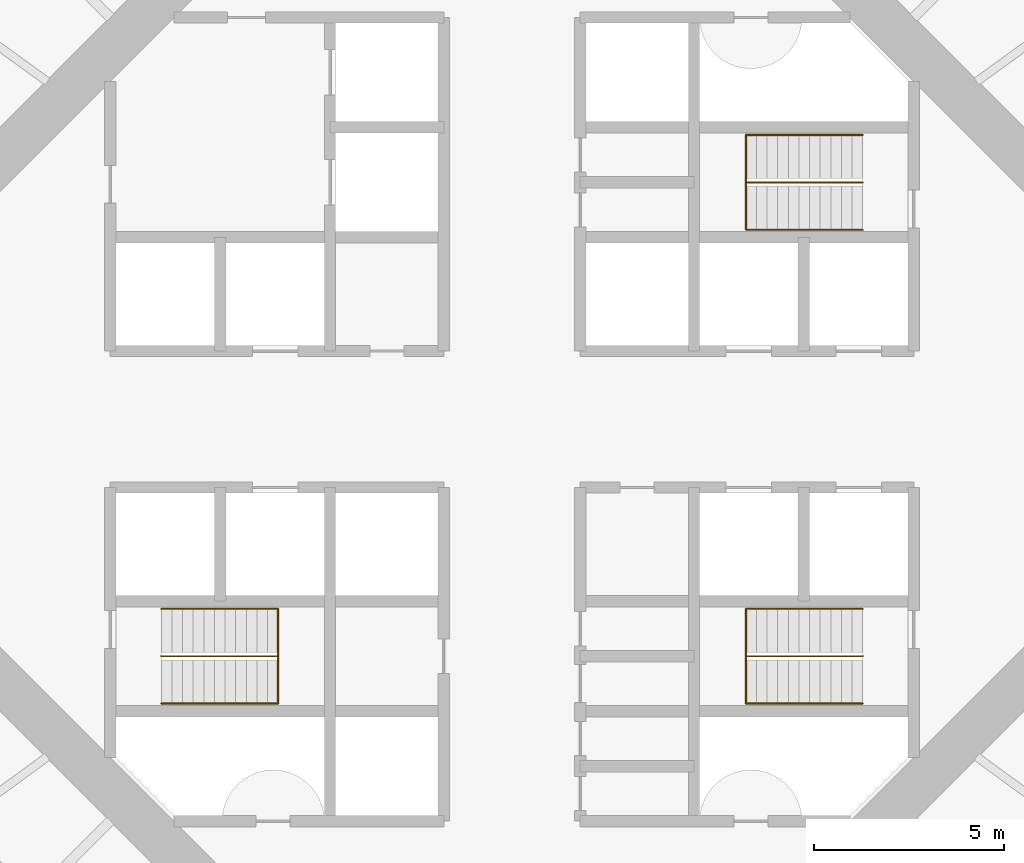
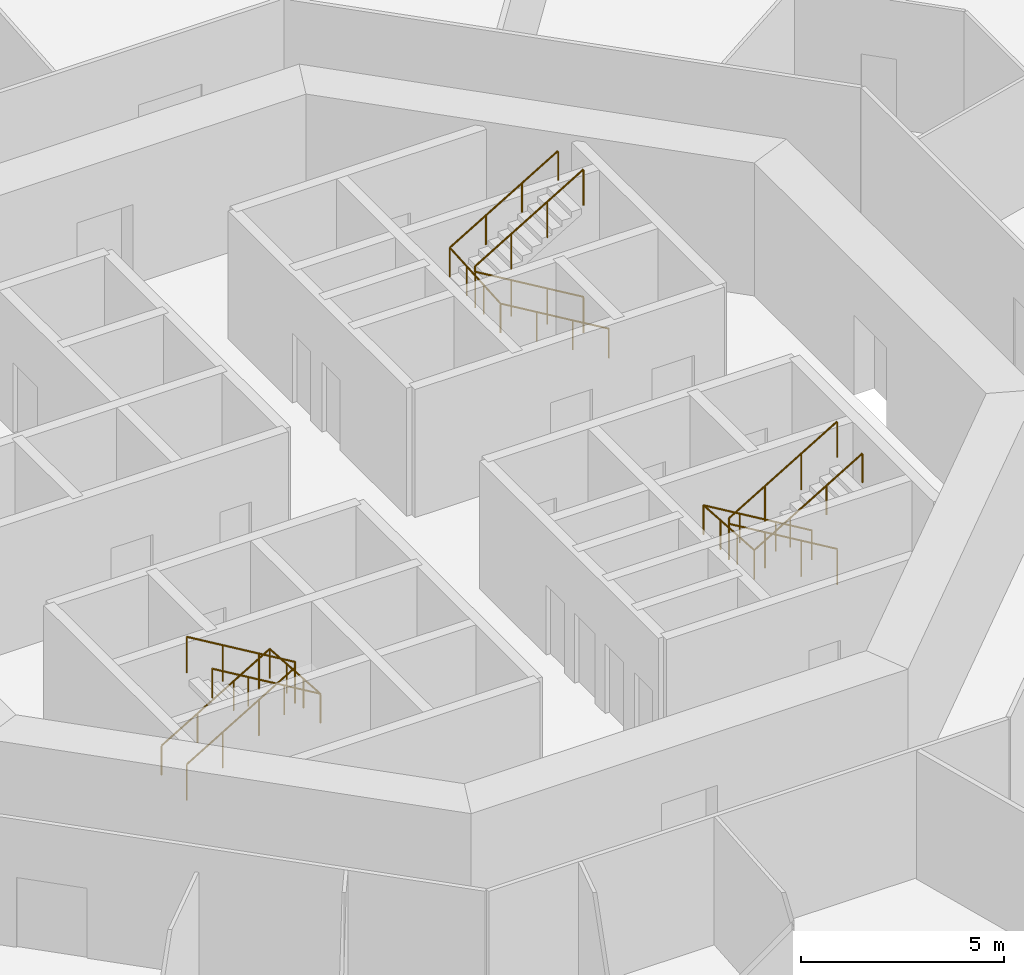
# One storey, part 13 of 13: 6 railings.
"""IFC4 building model written with IfcOpenShell, lengths in metres."""

import ifcopenshell
import ifcopenshell.guid

model = None  # the IFC model being written
_history = None  # IfcOwnerHistory: only IFC2X3 demands one
_inside = {}  # id of a spatial element -> (the spatial element, [elements in it])
_under = {}  # id of a project, library or spatial element -> (it, [spatial elements below it])
_declared = {}  # id of a project -> (the project, [libraries it declares])
_typed = {}  # id of a type object -> (the type object, [elements of that type])
_made_of = {}  # id of a material, layer set ... -> (it, [elements and type objects made of it])


def new_model(schema):
    """Start an empty IFC model of exactly this schema.

    Asked for "IFC4X3", IfcOpenShell would pick the latest addendum, in which some entities
    have other attributes; the version numbers below select the first issue.
    IFC2X3 requires an IfcOwnerHistory on every rooted entity: one is made here for all.
    """
    global model, _history
    if schema == "IFC4X3":
        model = ifcopenshell.file(schema_version=(4, 3, 0, 0))
    else:
        model = ifcopenshell.file(schema=schema)
    _inside.clear()
    _under.clear()
    _declared.clear()
    _typed.clear()
    _made_of.clear()
    _history = None
    if model.schema == "IFC2X3":
        org = make("IfcOrganization", Name="unknown")
        user = make(
            "IfcPersonAndOrganization",
            ThePerson=make("IfcPerson", FamilyName="unknown"),
            TheOrganization=org,
        )
        app = make(
            "IfcApplication",
            ApplicationDeveloper=org,
            Version="unknown",
            ApplicationFullName="unknown",
            ApplicationIdentifier="unknown",
        )
        _history = make(
            "IfcOwnerHistory",
            OwningUser=user,
            OwningApplication=app,
            ChangeAction="ADDED",
            CreationDate=0,
        )
    return model


def make(cls, **values):
    """One entity of the class cls with the attributes given. An attribute that is None is left unset."""
    return model.create_entity(
        cls, **{name: value for name, value in values.items() if value is not None}
    )


def rooted(cls, **values):
    """An entity with a GlobalId (a new one), such as an element, a storey or a relation."""
    return make(cls, GlobalId=ifcopenshell.guid.new(), OwnerHistory=_history, **values)


def si_unit(unit_type, name, prefix=None):
    """IfcSIUnit, for example si_unit("LENGTHUNIT", "METRE", prefix="MILLI")."""
    return make("IfcSIUnit", UnitType=unit_type, Prefix=prefix, Name=name)


def assignment(units):
    """IfcUnitAssignment: the units of a project."""
    return None if units is None else make("IfcUnitAssignment", Units=units)


def point(xyz):
    """IfcCartesianPoint."""
    return None if xyz is None else make("IfcCartesianPoint", Coordinates=xyz)


def direction(xyz):
    """IfcDirection."""
    return None if xyz is None else make("IfcDirection", DirectionRatios=xyz)


def frame(location, z_axis=None, x_axis=None):
    """IfcAxis2Placement3D, a coordinate frame: its origin and axes. An axis left out is left unset."""
    return make(
        "IfcAxis2Placement3D",
        Location=point(location),
        Axis=direction(z_axis),
        RefDirection=direction(x_axis),
    )


def frame_2d(location, x_axis=None):
    """IfcAxis2Placement2D, a coordinate frame in the plane: its origin and x axis."""
    return make(
        "IfcAxis2Placement2D", Location=point(location), RefDirection=direction(x_axis)
    )


def origin():
    """The frame at (0, 0, 0) with its axes left unset."""
    return frame((0.0, 0.0, 0.0))


def origin_2d():
    """The frame at (0, 0) in the plane with its x axis left unset."""
    return frame_2d((0.0, 0.0))


def place(relative_to, where):
    """IfcLocalPlacement: puts the frame where relative to a parent placement (None: the world)."""
    return make(
        "IfcLocalPlacement", PlacementRelTo=relative_to, RelativePlacement=where
    )


def context(
    kind, dimensions, precision=None, world=None, true_north=None, identifier=None
):
    """IfcGeometricRepresentationContext, for example the 3D "Model" context."""
    return make(
        "IfcGeometricRepresentationContext",
        ContextIdentifier=identifier,
        ContextType=kind,
        CoordinateSpaceDimension=dimensions,
        Precision=precision,
        WorldCoordinateSystem=world,
        TrueNorth=true_north,
    )


def subcontext(parent, identifier, kind, view, scale=None):
    """IfcGeometricRepresentationSubContext, for example "Body" below "Model"."""
    return make(
        "IfcGeometricRepresentationSubContext",
        ContextIdentifier=identifier,
        ContextType=kind,
        ParentContext=parent,
        TargetScale=scale,
        TargetView=view,
    )


def project(units=None, contexts=None):
    """IfcProject with its units and contexts."""
    return rooted(
        "IfcProject",
        Name="project",
        RepresentationContexts=contexts,
        UnitsInContext=assignment(units),
    )


def spatial(cls, under=None, at=None, **own):
    """A site, building, storey or space (cls), placed at a placement, below another one or the project."""
    s = rooted(cls, ObjectPlacement=at, **own)
    if under is not None:
        _under.setdefault(under.id(), (under, []))[1].append(s)
    return s


def profile(cls, at=None, kind="AREA", **sizes):
    """A parametric profile (cls). Its sizes go by their IFC names, for example OverallWidth=200.0."""
    return make(cls, ProfileType=kind, Position=at, **sizes)


def circle(**sizes):
    """IfcCircleProfileDef."""
    return profile("IfcCircleProfileDef", **sizes)


def extrude(swept, where, along, depth):
    """IfcExtrudedAreaSolid: the profile swept, set in the frame where, extruded along a direction by depth."""
    return make(
        "IfcExtrudedAreaSolid",
        SweptArea=swept,
        Position=where,
        ExtrudedDirection=direction(along),
        Depth=depth,
    )


def shape(context_of_items, identifier, shape_type, items):
    """IfcShapeRepresentation: the items that make up one representation, for example the "Body"."""
    return make(
        "IfcShapeRepresentation",
        ContextOfItems=context_of_items,
        RepresentationIdentifier=identifier,
        RepresentationType=shape_type,
        Items=items,
    )


def material(Name=None, Category=None):
    """IfcMaterial."""
    return make("IfcMaterial", Name=Name, Category=Category)


def made_of(thing, what):
    """Note that an element or type object is made of a material, layer set ...; save() writes the relation."""
    if what is not None:
        _made_of.setdefault(what.id(), (what, []))[1].append(thing)
    return thing


def type_object(cls, material=None, **own):
    """A type object (cls), such as IfcWallType, which elements share."""
    return made_of(rooted(cls, **own), material)


def element(
    cls,
    number,
    at=None,
    inside=None,
    cuts=None,
    type_object=None,
    material=None,
    context=None,
    identifier="Body",
    shape_type=None,
    held_by="IfcProductDefinitionShape",
    body=None,
    shapes=None,
    **own,
):
    """One element of the class cls, such as IfcWall. Its Tag is "e" and its number.

    at: its placement. inside: the storey or other place that contains it. cuts: it is an
    opening in that element (IfcRelVoidsElement). A single representation is given by context,
    identifier, shape_type and body (its items); several are given by shapes. held_by: the class
    of the entity that holds the representations. save() writes the other relations.
    """
    e = rooted(cls, Tag="e%d" % number, ObjectPlacement=at, **own)
    if body is not None:
        shapes = [shape(context, identifier, shape_type, body)]
    if shapes is not None:
        e.Representation = make(held_by, Representations=shapes)
    if inside is not None:
        _inside.setdefault(inside.id(), (inside, []))[1].append(e)
    if cuts is not None:
        rooted(
            "IfcRelVoidsElement", RelatingBuildingElement=cuts, RelatedOpeningElement=e
        )
    if type_object is not None:
        _typed.setdefault(type_object.id(), (type_object, []))[1].append(e)
    return made_of(e, material)


def aggregate(whole, parts):
    """IfcRelAggregates: a whole, such as a stair, and the parts it consists of."""
    return rooted("IfcRelAggregates", RelatingObject=whole, RelatedObjects=parts)


def save(model, path):
    """Write the relations noted so far, then the file.

    IfcRelAggregates (storeys below a building ...), IfcRelContainedInSpatialStructure (elements
    in a storey), IfcRelDefinesByType, IfcRelAssociatesMaterial and IfcRelDeclares: one each for
    every whole, place, type object, material and project.
    """
    for whole, parts in _under.values():
        aggregate(whole, parts)
    for where, things in _inside.values():
        rooted(
            "IfcRelContainedInSpatialStructure",
            RelatedElements=things,
            RelatingStructure=where,
        )
    for kind, things in _typed.values():
        rooted("IfcRelDefinesByType", RelatedObjects=things, RelatingType=kind)
    for what, things in _made_of.values():
        rooted("IfcRelAssociatesMaterial", RelatedObjects=things, RelatingMaterial=what)
    for by, libraries in _declared.values():
        rooted("IfcRelDeclares", RelatingContext=by, RelatedDefinitions=libraries)
    model.write(path)


model = new_model("IFC4")

# Units and contexts
model_context = context("Model", 3, precision=1e-05, world=origin(), true_north=direction((0.0, 1.0)))
body_context = subcontext(model_context, "Body", "Model", "MODEL_VIEW")
ifc_project = project(units=[si_unit("LENGTHUNIT", "METRE"), si_unit("AREAUNIT", "SQUARE_METRE"), si_unit("VOLUMEUNIT", "CUBIC_METRE"), si_unit("PLANEANGLEUNIT", "RADIAN"), si_unit("MASSUNIT", "GRAM", prefix="KILO")], contexts=[model_context])

# Site, building, storey
site_placement = place(None, origin())
site = spatial("IfcSite", under=ifc_project, at=site_placement, CompositionType="ELEMENT")
building_placement = place(site_placement, origin())
building = spatial("IfcBuilding", under=site, at=building_placement, Name="Entoto Ring Tower", CompositionType="ELEMENT")
storey_placement = place(building_placement, frame((0.0, 0.0, 124.0)))
storey = spatial("IfcBuildingStorey", under=building, at=storey_placement, Name="L28", CompositionType="ELEMENT", Elevation=124.0)

# Railings
ifc_material_1 = material(Name="Steel S275", Category="steel")
railing_type_1 = type_object("IfcRailingType", Name="Stair guard 1100 mm steel", PredefinedType="GUARDRAIL", material=ifc_material_1)
railing_1_placement = place(storey_placement, frame((99.25, 86.25, 0.166748046875)))
element("IfcRailing", 1, at=railing_1_placement, inside=storey, type_object=railing_type_1, Name="Guard ST1", PredefinedType="GUARDRAIL", context=body_context, shape_type="SweptSolid", body=[
    extrude(circle(Radius=0.02392578125, at=origin_2d()), frame((0.0, 0.0, 1.076171875), z_axis=(-0.859308565015, 0.0, 0.511457515432), x_axis=(0.0, -1.0, 0.0)), (0.0, 0.0, 1.0), 3.58447265625),
    extrude(circle(Radius=0.02392578125, at=origin_2d()), frame((-3.080078125, 0.0, 2.9091796875), z_axis=(0.0, 0.0, 1.0), x_axis=(1.0, 0.0, 0.0)), (0.0, 0.0, 1.0), 0.166748046875),
    extrude(circle(Radius=0.02392578125, at=origin_2d()), frame((-3.080078125, 0.0, 3.076171875), z_axis=(0.859308565015, 0.0, 0.511457515432), x_axis=(0.0, 1.0, 0.0)), (0.0, 0.0, 1.0), 3.58447265625),
    extrude(circle(Radius=0.02099609375, at=origin_2d()), origin(), (0.0, 0.0, 1.0), 1.052001953125),
    extrude(circle(Radius=0.02099609375, at=origin_2d()), frame((-1.026611328125, 0.0, 0.611083984375)), (0.0, 0.0, 1.0), 1.052001953125),
    extrude(circle(Radius=0.02099609375, at=origin_2d()), frame((-2.053466796875, 0.0, 1.22216796875)), (0.0, 0.0, 1.0), 1.052001953125),
    extrude(circle(Radius=0.02099609375, at=origin_2d()), frame((-3.080078125, 0.0, 1.833251953125)), (0.0, 0.0, 1.0), 1.052001953125),
    extrude(circle(Radius=0.02099609375, at=origin_2d()), frame((-3.080078125, 0.0, 2.0)), (0.0, 0.0, 1.0), 1.052001953125),
    extrude(circle(Radius=0.02099609375, at=origin_2d()), frame((-2.053466796875, 0.0, 2.611083984375)), (0.0, 0.0, 1.0), 1.052001953125),
    extrude(circle(Radius=0.02099609375, at=origin_2d()), frame((-1.026611328125, 0.0, 3.22216796875)), (0.0, 0.0, 1.0), 1.052001953125),
    extrude(circle(Radius=0.02099609375, at=origin_2d()), frame((0.0, 0.0, 3.833251953125)), (0.0, 0.0, 1.0), 1.052001953125),
])
railing_2_placement = place(storey_placement, frame((80.75, 73.75, 0.166748046875)))
element("IfcRailing", 2, at=railing_2_placement, inside=storey, type_object=railing_type_1, Name="Guard ST2", PredefinedType="GUARDRAIL", context=body_context, shape_type="SweptSolid", body=[
    extrude(circle(Radius=0.02392578125, at=origin_2d()), frame((0.0, 0.0, 1.076171875), z_axis=(0.859308565015, 0.0, 0.511457515432), x_axis=(0.0, 1.0, 0.0)), (0.0, 0.0, 1.0), 3.58447265625),
    extrude(circle(Radius=0.02392578125, at=origin_2d()), frame((3.080078125, 0.0, 2.9091796875), z_axis=(0.0, 0.0, 1.0), x_axis=(1.0, 0.0, 0.0)), (0.0, 0.0, 1.0), 0.166748046875),
    extrude(circle(Radius=0.02392578125, at=origin_2d()), frame((3.080078125, 0.0, 3.076171875), z_axis=(-0.859308565015, 0.0, 0.511457515432), x_axis=(0.0, -1.0, 0.0)), (0.0, 0.0, 1.0), 3.58447265625),
    extrude(circle(Radius=0.02099609375, at=origin_2d()), origin(), (0.0, 0.0, 1.0), 1.052001953125),
    extrude(circle(Radius=0.02099609375, at=origin_2d()), frame((1.026611328125, 0.0, 0.611083984375)), (0.0, 0.0, 1.0), 1.052001953125),
    extrude(circle(Radius=0.02099609375, at=origin_2d()), frame((2.053466796875, 0.0, 1.22216796875)), (0.0, 0.0, 1.0), 1.052001953125),
    extrude(circle(Radius=0.02099609375, at=origin_2d()), frame((3.080078125, 0.0, 1.833251953125)), (0.0, 0.0, 1.0), 1.052001953125),
    extrude(circle(Radius=0.02099609375, at=origin_2d()), frame((3.080078125, 0.0, 2.0)), (0.0, 0.0, 1.0), 1.052001953125),
    extrude(circle(Radius=0.02099609375, at=origin_2d()), frame((2.053466796875, 0.0, 2.611083984375)), (0.0, 0.0, 1.0), 1.052001953125),
    extrude(circle(Radius=0.02099609375, at=origin_2d()), frame((1.026611328125, 0.0, 3.22216796875)), (0.0, 0.0, 1.0), 1.052001953125),
    extrude(circle(Radius=0.02099609375, at=origin_2d()), frame((0.0, 0.0, 3.833251953125)), (0.0, 0.0, 1.0), 1.052001953125),
])
railing_3_placement = place(storey_placement, frame((99.25, 73.75, 0.166748046875)))
element("IfcRailing", 3, at=railing_3_placement, inside=storey, type_object=railing_type_1, Name="Guard ST3", PredefinedType="GUARDRAIL", context=body_context, shape_type="SweptSolid", body=[
    extrude(circle(Radius=0.02392578125, at=origin_2d()), frame((0.0, 0.0, 1.076171875), z_axis=(-0.859308565015, 0.0, 0.511457515432), x_axis=(0.0, -1.0, 0.0)), (0.0, 0.0, 1.0), 3.58447265625),
    extrude(circle(Radius=0.02392578125, at=origin_2d()), frame((-3.080078125, 0.0, 2.9091796875), z_axis=(0.0, 0.0, 1.0), x_axis=(1.0, 0.0, 0.0)), (0.0, 0.0, 1.0), 0.166748046875),
    extrude(circle(Radius=0.02392578125, at=origin_2d()), frame((-3.080078125, 0.0, 3.076171875), z_axis=(0.859308565015, 0.0, 0.511457515432), x_axis=(0.0, 1.0, 0.0)), (0.0, 0.0, 1.0), 3.58447265625),
    extrude(circle(Radius=0.02099609375, at=origin_2d()), origin(), (0.0, 0.0, 1.0), 1.052001953125),
    extrude(circle(Radius=0.02099609375, at=origin_2d()), frame((-1.026611328125, 0.0, 0.611083984375)), (0.0, 0.0, 1.0), 1.052001953125),
    extrude(circle(Radius=0.02099609375, at=origin_2d()), frame((-2.053466796875, 0.0, 1.22216796875)), (0.0, 0.0, 1.0), 1.052001953125),
    extrude(circle(Radius=0.02099609375, at=origin_2d()), frame((-3.080078125, 0.0, 1.833251953125)), (0.0, 0.0, 1.0), 1.052001953125),
    extrude(circle(Radius=0.02099609375, at=origin_2d()), frame((-3.080078125, 0.0, 2.0)), (0.0, 0.0, 1.0), 1.052001953125),
    extrude(circle(Radius=0.02099609375, at=origin_2d()), frame((-2.053466796875, 0.0, 2.611083984375)), (0.0, 0.0, 1.0), 1.052001953125),
    extrude(circle(Radius=0.02099609375, at=origin_2d()), frame((-1.026611328125, 0.0, 3.22216796875)), (0.0, 0.0, 1.0), 1.052001953125),
    extrude(circle(Radius=0.02099609375, at=origin_2d()), frame((0.0, 0.0, 3.833251953125)), (0.0, 0.0, 1.0), 1.052001953125),
])
ifc_material_2 = material(Name="Steel S275", Category="steel")
railing_type_2 = type_object("IfcRailingType", Name="Stair handrail 900 mm steel", PredefinedType="HANDRAIL", material=ifc_material_2)
railing_4_placement = place(storey_placement, frame((99.25, 85.0, 0.166748046875)))
element("IfcRailing", 4, at=railing_4_placement, inside=storey, type_object=railing_type_2, Name="Handrail ST1", PredefinedType="HANDRAIL", context=body_context, shape_type="SweptSolid", body=[
    extrude(circle(Radius=0.02392578125, at=origin_2d()), frame((0.0, 0.0, 0.8759765625), z_axis=(-0.859308565015, 0.0, 0.511457515432), x_axis=(0.0, -1.0, 0.0)), (0.0, 0.0, 1.0), 3.58447265625),
    extrude(circle(Radius=0.02392578125, at=origin_2d()), frame((-3.080078125, 0.0, 2.708984375), z_axis=(0.0, 0.997783001586, 0.066551346688), x_axis=(-1.0, 0.0, 0.0)), (0.0, 0.0, 1.0), 2.505615234375),
    extrude(circle(Radius=0.02392578125, at=origin_2d()), frame((-3.080078125, 2.5, 2.8759765625), z_axis=(0.859308565015, 0.0, 0.511457515432), x_axis=(0.0, 1.0, 0.0)), (0.0, 0.0, 1.0), 3.58447265625),
    extrude(circle(Radius=0.02099609375, at=origin_2d()), origin(), (0.0, 0.0, 1.0), 0.851806640625),
    extrude(circle(Radius=0.02099609375, at=origin_2d()), frame((-1.026611328125, 0.0, 0.611083984375)), (0.0, 0.0, 1.0), 0.851806640625),
    extrude(circle(Radius=0.02099609375, at=origin_2d()), frame((-2.053466796875, 0.0, 1.22216796875)), (0.0, 0.0, 1.0), 0.851806640625),
    extrude(circle(Radius=0.02099609375, at=origin_2d()), frame((-3.080078125, 0.0, 1.833251953125)), (0.0, 0.0, 1.0), 0.851806640625),
    extrude(circle(Radius=0.02099609375, at=origin_2d()), frame((-3.080078125, 0.833251953125, 1.888916015625)), (0.0, 0.0, 1.0), 0.851806640625),
    extrude(circle(Radius=0.02099609375, at=origin_2d()), frame((-3.080078125, 1.666748046875, 1.9443359375)), (0.0, 0.0, 1.0), 0.851806640625),
    extrude(circle(Radius=0.02099609375, at=origin_2d()), frame((-3.080078125, 2.5, 2.0)), (0.0, 0.0, 1.0), 0.851806640625),
    extrude(circle(Radius=0.02099609375, at=origin_2d()), frame((-2.053466796875, 2.5, 2.611083984375)), (0.0, 0.0, 1.0), 0.851806640625),
    extrude(circle(Radius=0.02099609375, at=origin_2d()), frame((-1.026611328125, 2.5, 3.22216796875)), (0.0, 0.0, 1.0), 0.851806640625),
    extrude(circle(Radius=0.02099609375, at=origin_2d()), frame((0.0, 2.5, 3.833251953125)), (0.0, 0.0, 1.0), 0.851806640625),
])
railing_5_placement = place(storey_placement, frame((80.75, 75.0, 0.166748046875)))
element("IfcRailing", 5, at=railing_5_placement, inside=storey, type_object=railing_type_2, Name="Handrail ST2", PredefinedType="HANDRAIL", context=body_context, shape_type="SweptSolid", body=[
    extrude(circle(Radius=0.02392578125, at=origin_2d()), frame((0.0, 0.0, 0.8759765625), z_axis=(0.859308565015, 0.0, 0.511457515432), x_axis=(0.0, 1.0, 0.0)), (0.0, 0.0, 1.0), 3.58447265625),
    extrude(circle(Radius=0.02392578125, at=origin_2d()), frame((3.080078125, 0.0, 2.708984375), z_axis=(0.0, -0.997783001586, 0.066551346688), x_axis=(1.0, 0.0, 0.0)), (0.0, 0.0, 1.0), 2.505615234375),
    extrude(circle(Radius=0.02392578125, at=origin_2d()), frame((3.080078125, -2.5, 2.8759765625), z_axis=(-0.859308565015, 0.0, 0.511457515432), x_axis=(0.0, -1.0, 0.0)), (0.0, 0.0, 1.0), 3.58447265625),
    extrude(circle(Radius=0.02099609375, at=origin_2d()), origin(), (0.0, 0.0, 1.0), 0.851806640625),
    extrude(circle(Radius=0.02099609375, at=origin_2d()), frame((1.026611328125, 0.0, 0.611083984375)), (0.0, 0.0, 1.0), 0.851806640625),
    extrude(circle(Radius=0.02099609375, at=origin_2d()), frame((2.053466796875, 0.0, 1.22216796875)), (0.0, 0.0, 1.0), 0.851806640625),
    extrude(circle(Radius=0.02099609375, at=origin_2d()), frame((3.080078125, 0.0, 1.833251953125)), (0.0, 0.0, 1.0), 0.851806640625),
    extrude(circle(Radius=0.02099609375, at=origin_2d()), frame((3.080078125, -0.833251953125, 1.888916015625)), (0.0, 0.0, 1.0), 0.851806640625),
    extrude(circle(Radius=0.02099609375, at=origin_2d()), frame((3.080078125, -1.666748046875, 1.9443359375)), (0.0, 0.0, 1.0), 0.851806640625),
    extrude(circle(Radius=0.02099609375, at=origin_2d()), frame((3.080078125, -2.5, 2.0)), (0.0, 0.0, 1.0), 0.851806640625),
    extrude(circle(Radius=0.02099609375, at=origin_2d()), frame((2.053466796875, -2.5, 2.611083984375)), (0.0, 0.0, 1.0), 0.851806640625),
    extrude(circle(Radius=0.02099609375, at=origin_2d()), frame((1.026611328125, -2.5, 3.22216796875)), (0.0, 0.0, 1.0), 0.851806640625),
    extrude(circle(Radius=0.02099609375, at=origin_2d()), frame((0.0, -2.5, 3.833251953125)), (0.0, 0.0, 1.0), 0.851806640625),
])
railing_6_placement = place(storey_placement, frame((99.25, 75.0, 0.166748046875)))
element("IfcRailing", 6, at=railing_6_placement, inside=storey, type_object=railing_type_2, Name="Handrail ST3", PredefinedType="HANDRAIL", context=body_context, shape_type="SweptSolid", body=[
    extrude(circle(Radius=0.02392578125, at=origin_2d()), frame((0.0, 0.0, 0.8759765625), z_axis=(-0.859308565015, 0.0, 0.511457515432), x_axis=(0.0, -1.0, 0.0)), (0.0, 0.0, 1.0), 3.58447265625),
    extrude(circle(Radius=0.02392578125, at=origin_2d()), frame((-3.080078125, 0.0, 2.708984375), z_axis=(0.0, -0.997783001586, 0.066551346688), x_axis=(1.0, 0.0, 0.0)), (0.0, 0.0, 1.0), 2.505615234375),
    extrude(circle(Radius=0.02392578125, at=origin_2d()), frame((-3.080078125, -2.5, 2.8759765625), z_axis=(0.859308565015, 0.0, 0.511457515432), x_axis=(0.0, 1.0, 0.0)), (0.0, 0.0, 1.0), 3.58447265625),
    extrude(circle(Radius=0.02099609375, at=origin_2d()), origin(), (0.0, 0.0, 1.0), 0.851806640625),
    extrude(circle(Radius=0.02099609375, at=origin_2d()), frame((-1.026611328125, 0.0, 0.611083984375)), (0.0, 0.0, 1.0), 0.851806640625),
    extrude(circle(Radius=0.02099609375, at=origin_2d()), frame((-2.053466796875, 0.0, 1.22216796875)), (0.0, 0.0, 1.0), 0.851806640625),
    extrude(circle(Radius=0.02099609375, at=origin_2d()), frame((-3.080078125, 0.0, 1.833251953125)), (0.0, 0.0, 1.0), 0.851806640625),
    extrude(circle(Radius=0.02099609375, at=origin_2d()), frame((-3.080078125, -0.833251953125, 1.888916015625)), (0.0, 0.0, 1.0), 0.851806640625),
    extrude(circle(Radius=0.02099609375, at=origin_2d()), frame((-3.080078125, -1.666748046875, 1.9443359375)), (0.0, 0.0, 1.0), 0.851806640625),
    extrude(circle(Radius=0.02099609375, at=origin_2d()), frame((-3.080078125, -2.5, 2.0)), (0.0, 0.0, 1.0), 0.851806640625),
    extrude(circle(Radius=0.02099609375, at=origin_2d()), frame((-2.053466796875, -2.5, 2.611083984375)), (0.0, 0.0, 1.0), 0.851806640625),
    extrude(circle(Radius=0.02099609375, at=origin_2d()), frame((-1.026611328125, -2.5, 3.22216796875)), (0.0, 0.0, 1.0), 0.851806640625),
    extrude(circle(Radius=0.02099609375, at=origin_2d()), frame((0.0, -2.5, 3.833251953125)), (0.0, 0.0, 1.0), 0.851806640625),
])

save(model, "model.ifc")
